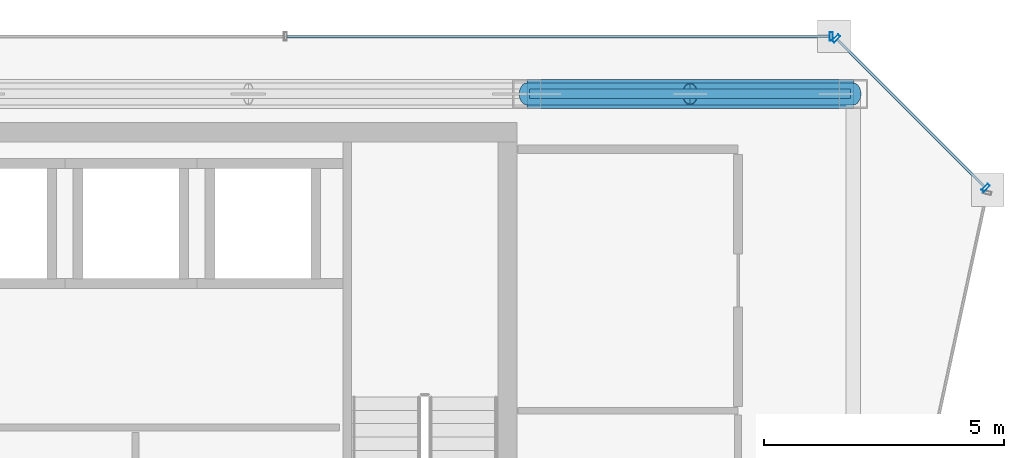
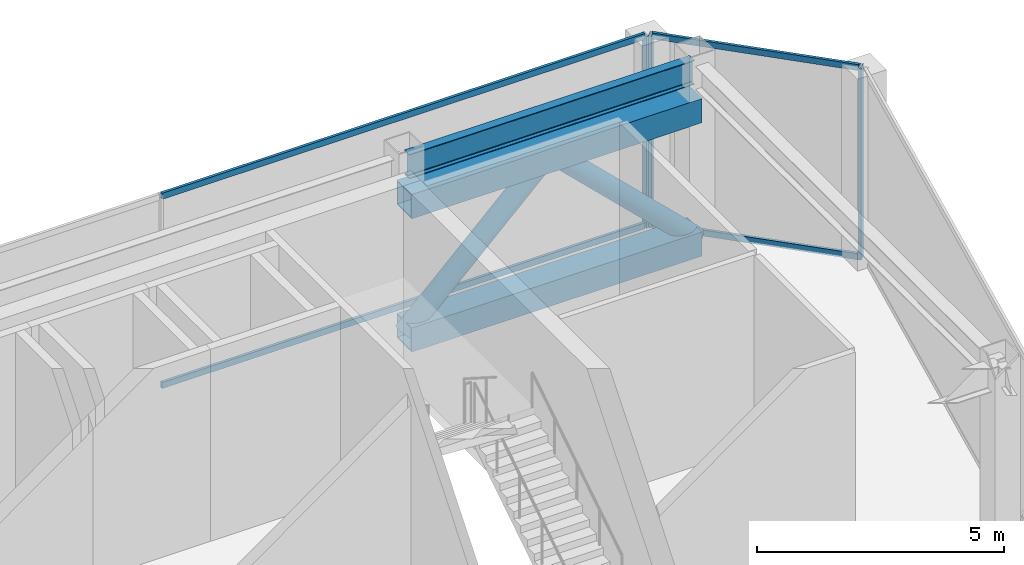
# One storey, part 14 of 20: 11 members, 1 beam, 2 elements without a shape of their own.
"""IFC4 building model written with IfcOpenShell, lengths in metres."""

from ifc_helpers import new_model, si_unit, direction, frame, origin, origin_2d, place, context, subcontext, project, spatial, hollow_rectangle, hollow_circle, i_section, extrude, material, material_profile, profile_set, type_object, element, aggregate, save


model = new_model("IFC4")

# Units and contexts
model_context = context("Model", 3, precision=1e-05, world=origin(), true_north=direction((0.0, 1.0)))
body_context = subcontext(model_context, "Body", "Model", "MODEL_VIEW")
ifc_project = project(units=[si_unit("LENGTHUNIT", "METRE"), si_unit("AREAUNIT", "SQUARE_METRE"), si_unit("VOLUMEUNIT", "CUBIC_METRE"), si_unit("PLANEANGLEUNIT", "RADIAN"), si_unit("MASSUNIT", "GRAM", prefix="KILO")], contexts=[model_context])

# Site, building, storey
site_placement = place(None, origin())
site = spatial("IfcSite", under=ifc_project, at=site_placement, CompositionType="ELEMENT")
building_placement = place(site_placement, origin())
building = spatial("IfcBuilding", under=site, at=building_placement, Name="Saevonmaru Cultural Tower", CompositionType="ELEMENT")
storey_placement = place(building_placement, frame((0.0, 0.0, 314.199951171875)))
storey = spatial("IfcBuildingStorey", under=building, at=storey_placement, Name="L75", CompositionType="ELEMENT", Elevation=314.199951171875)

# Beam
ifc_material_1 = material(Name="Steel SM355", Category="steel")
ifc_material_profile_1 = material_profile(ifc_material_1, i_section(OverallWidth=0.199951171875, OverallDepth=0.60009765625, WebThickness=0.010986328125, FlangeThickness=0.01708984375, FilletRadius=0.02197265625, at=origin_2d()), Name="H-600x200x11x17")
ifc_profile_set_1 = profile_set([ifc_material_profile_1], Name="Steel SM355")
beam_type = type_object("IfcBeamType", Name="BM-SP-H600", PredefinedType="SPANDREL", material=ifc_profile_set_1)
beam_placement = place(storey_placement, frame((46.4599609375, 54.800048828125, 4.449951171875), z_axis=(1.0, 0.0, 0.0), x_axis=(0.0, 1.0, 0.0)))
element("IfcBeam", 1, at=beam_placement, inside=storey, type_object=beam_type, Name="L75 North Spine Girder 5", PredefinedType="SPANDREL", context=body_context, shape_type="SweptSolid", body=[
    extrude(i_section(OverallWidth=0.199951171875, OverallDepth=0.60009765625, WebThickness=0.010986328125, FlangeThickness=0.01708984375, FilletRadius=0.02197265625, at=origin_2d()), origin(), (0.0, 0.0, 1.0), 6.679931640625),
])

# Members
ifc_material_2 = material(Name="Steel SM420", Category="steel")
ifc_material_profile_2 = material_profile(ifc_material_2, hollow_circle(Radius=0.228515625, WallThickness=0.02001953125, at=origin_2d()), Name="CHS-457.2x20")
ifc_profile_set_2 = profile_set([ifc_material_profile_2], Name="Steel SM420")
member_type_1 = type_object("IfcMemberType", Name="MB-OBR-CHS457", PredefinedType="BRACE", material=ifc_profile_set_2)
member_1_placement = place(storey_placement, frame((46.39990234375, 54.800048828125, 0.300048828125), z_axis=(0.717590537562, 0.0, 0.69646523273), x_axis=(0.0, 1.0, 0.0)))
element("IfcMember", 2, at=member_1_placement, inside=storey, type_object=member_type_1, Name="L75 Outrigger Truss Diagonal OE2-1", PredefinedType="BRACE", context=body_context, shape_type="SweptSolid", body=[
    extrude(hollow_circle(Radius=0.228515625, WallThickness=0.02001953125, at=origin_2d()), origin(), (0.0, 0.0, 1.0), 4.73828125),
])
member_2_placement = place(storey_placement, frame((53.199951171875, 54.800048828125, 0.300048828125), z_axis=(-0.717565543198, 0.0, 0.696490984303), x_axis=(0.0, -1.0, 0.0)))
element("IfcMember", 3, at=member_2_placement, inside=storey, type_object=member_type_1, Name="L75 Outrigger Truss Diagonal OE2-2", PredefinedType="BRACE", context=body_context, shape_type="SweptSolid", body=[
    extrude(hollow_circle(Radius=0.228515625, WallThickness=0.02001953125, at=origin_2d()), origin(), (0.0, 0.0, 1.0), 4.738037109375),
])
ifc_material_profile_3 = material_profile(ifc_material_2, hollow_rectangle(XDim=0.60009765625, YDim=0.60009765625, WallThickness=0.028076171875, at=origin_2d()), Name="BOX-600x600x28")
ifc_profile_set_3 = profile_set([ifc_material_profile_3], Name="Steel SM420")
member_type_2 = type_object("IfcMemberType", Name="MB-OCH-BOX600", PredefinedType="CHORD", material=ifc_profile_set_3)
for number, where, z_axis, x_axis, name in (
    (4, (46.39990234375, 54.800048828125, 0.300048828125), (1.0, 0.0, 0.0), (0.0, 1.0, 0.0), "L75 Outrigger Truss Bottom Chord OE2"),
    (5, (46.39990234375, 54.800048828125, 3.60009765625), (1.0, 0.0, 0.0), (0.0, 1.0, 0.0), "L75 Outrigger Truss Top Chord OE2"),
):
    element("IfcMember", number, at=place(storey_placement, frame(where, z_axis=z_axis, x_axis=x_axis)), inside=storey, type_object=member_type_2, Name=name, PredefinedType="CHORD", context=body_context, shape_type="SweptSolid", body=[
        extrude(hollow_rectangle(XDim=0.60009765625, YDim=0.60009765625, WallThickness=0.028076171875, at=origin_2d()), origin(), (0.0, 0.0, 1.0), 6.800048828125),
    ])

# Curtain wall, members
ifc_material_3 = material(Name="Satin Bronze Anodised Aluminium", Category="aluminium")
curtain_wall_type = type_object("IfcCurtainWallType", Name="CW-TYP-B", PredefinedType="NOTDEFINED", material=ifc_material_3)
curtain_wall_1_placement = place(storey_placement, origin())
curtain_wall_1 = element("IfcCurtainWall", 6, at=curtain_wall_1_placement, inside=storey, type_object=curtain_wall_type, Name="L75 Wind-Floor Acoustic Louvre Screen E9", PredefinedType="NOTDEFINED")
ifc_material_profile_4 = material_profile(ifc_material_3, hollow_rectangle(XDim=0.06494140625, YDim=0.179931640625, WallThickness=0.00390625, at=origin_2d()), Name="ALU-MULL-180x65x4")
ifc_profile_set_4 = profile_set([ifc_material_profile_4], Name="Satin Bronze Anodised Aluminium")
member_type_3 = type_object("IfcMemberType", Name="ML-CW-180x65", PredefinedType="MULLION", material=ifc_profile_set_4)
member_3_placement = place(storey_placement, frame((55.95751953125, 52.84228515625, 0.0), z_axis=(0.0, 0.0, 1.0), x_axis=(-0.707106781187, 0.707106781187, 0.0)))
member_3 = element("IfcMember", 7, at=member_3_placement, type_object=member_type_3, Name="CW-TW-L75-E9 mullion 1", PredefinedType="MULLION", context=body_context, shape_type="SweptSolid", body=[
    extrude(hollow_rectangle(XDim=0.06494140625, YDim=0.179931640625, WallThickness=0.00390625, at=origin_2d()), origin(), (0.0, 0.0, 1.0), 4.75),
])
member_4_placement = place(storey_placement, frame((52.84228515625, 55.95751953125, 0.0), z_axis=(0.0, 0.0, 1.0), x_axis=(-0.707106781187, 0.707106781187, 0.0)))
member_4 = element("IfcMember", 8, at=member_4_placement, type_object=member_type_3, Name="CW-TW-L75-E9 mullion 2", PredefinedType="MULLION", context=body_context, shape_type="SweptSolid", body=[
    extrude(hollow_rectangle(XDim=0.06494140625, YDim=0.179931640625, WallThickness=0.00390625, at=origin_2d()), origin(), (0.0, 0.0, 1.0), 4.75),
])

# Curtain wall, member
curtain_wall_2_placement = place(storey_placement, origin())
curtain_wall_2 = element("IfcCurtainWall", 9, at=curtain_wall_2_placement, inside=storey, type_object=curtain_wall_type, Name="L75 Wind-Floor Acoustic Louvre Screen E10", PredefinedType="NOTDEFINED")
member_5_placement = place(storey_placement, frame((52.739990234375, 56.0, 0.0), z_axis=(0.0, 0.0, 1.0), x_axis=(-1.0, 0.0, 0.0)))
member_5 = element("IfcMember", 10, at=member_5_placement, type_object=member_type_3, Name="CW-TW-L75-E10 mullion 1", PredefinedType="MULLION", context=body_context, shape_type="SweptSolid", body=[
    extrude(hollow_rectangle(XDim=0.06494140625, YDim=0.179931640625, WallThickness=0.00390625, at=origin_2d()), origin(), (0.0, 0.0, 1.0), 4.75),
])

# Member
ifc_material_profile_5 = material_profile(ifc_material_3, hollow_rectangle(XDim=0.06494140625, YDim=0.14990234375, WallThickness=0.00390625, at=origin_2d()), Name="ALU-TRAN-150x65x4")
ifc_profile_set_5 = profile_set([ifc_material_profile_5], Name="Satin Bronze Anodised Aluminium")
member_type_4 = type_object("IfcMemberType", Name="TR-CW-150x65", PredefinedType="USERDEFINED", material=ifc_profile_set_5)
member_6_placement = place(storey_placement, frame((55.9345703125, 52.865478515625, 0.032470703125), z_axis=(-0.707106781187, 0.707106781187, 0.0), x_axis=(-0.707106781187, -0.707106781187, 0.0)))
member_6 = element("IfcMember", 11, at=member_6_placement, type_object=member_type_4, Name="CW-TW-L75-E9 transom 1.1", ObjectType="TRANSOM", PredefinedType="USERDEFINED", context=body_context, shape_type="SweptSolid", body=[
    extrude(hollow_rectangle(XDim=0.06494140625, YDim=0.14990234375, WallThickness=0.00390625, at=origin_2d()), origin(), (0.0, 0.0, 1.0), 4.34033203125),
])

member_7_placement = place(storey_placement, frame((55.9345703125, 52.865478515625, 4.717529296875), z_axis=(-0.707106781187, 0.707106781187, 0.0), x_axis=(-0.707106781187, -0.707106781187, 0.0)))
member_7 = element("IfcMember", 12, at=member_7_placement, type_object=member_type_4, Name="CW-TW-L75-E9 transom 1.2", ObjectType="TRANSOM", PredefinedType="USERDEFINED", context=body_context, shape_type="SweptSolid", body=[
    extrude(hollow_rectangle(XDim=0.06494140625, YDim=0.14990234375, WallThickness=0.00390625, at=origin_2d()), origin(), (0.0, 0.0, 1.0), 4.34033203125),
])

aggregate(curtain_wall_1, [member_3, member_4, member_6, member_7])

member_8_placement = place(storey_placement, frame((52.70751953125, 56.0, 0.032470703125), z_axis=(-1.0, 0.0, 0.0), x_axis=(0.0, -1.0, 0.0)))
member_8 = element("IfcMember", 13, at=member_8_placement, type_object=member_type_4, Name="CW-TW-L75-E10 transom 1.1", ObjectType="TRANSOM", PredefinedType="USERDEFINED", context=body_context, shape_type="SweptSolid", body=[
    extrude(hollow_rectangle(XDim=0.06494140625, YDim=0.14990234375, WallThickness=0.00390625, at=origin_2d()), origin(), (0.0, 0.0, 1.0), 11.304931640625),
])

member_9_placement = place(storey_placement, frame((52.70751953125, 56.0, 4.717529296875), z_axis=(-1.0, 0.0, 0.0), x_axis=(0.0, -1.0, 0.0)))
member_9 = element("IfcMember", 14, at=member_9_placement, type_object=member_type_4, Name="CW-TW-L75-E10 transom 1.2", ObjectType="TRANSOM", PredefinedType="USERDEFINED", context=body_context, shape_type="SweptSolid", body=[
    extrude(hollow_rectangle(XDim=0.06494140625, YDim=0.14990234375, WallThickness=0.00390625, at=origin_2d()), origin(), (0.0, 0.0, 1.0), 11.304931640625),
])

aggregate(curtain_wall_2, [member_5, member_8, member_9])

save(model, "model.ifc")
